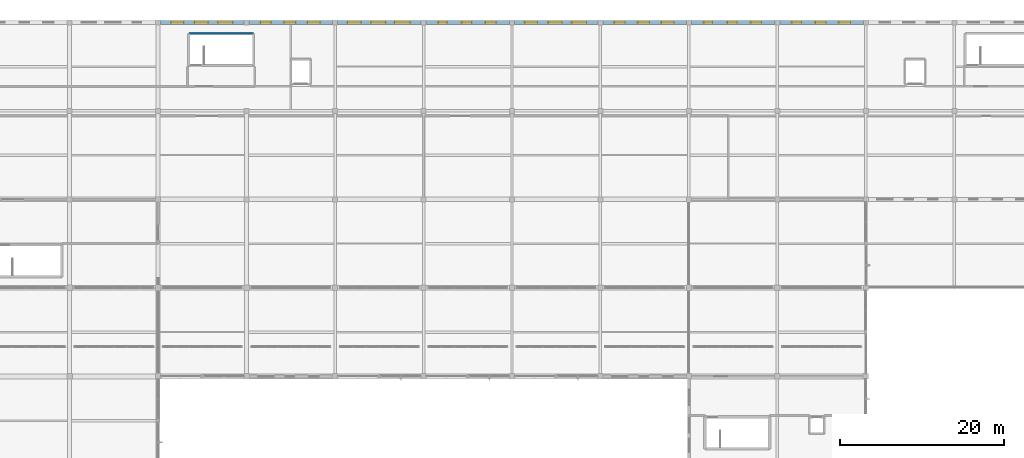
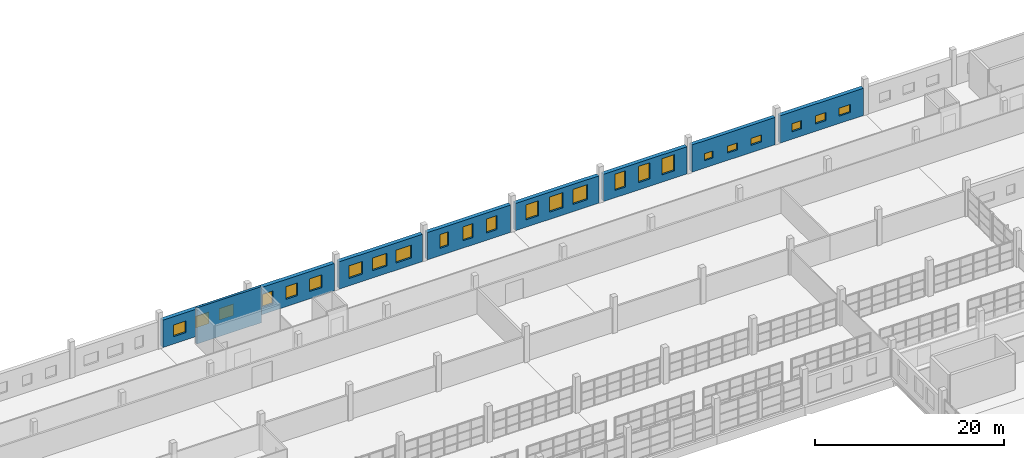
# One storey, part 118 of 142: 24 windows, 9 walls, 24 openings.
"""IFC4 building model written with IfcOpenShell, lengths in metres."""

from ifc_helpers import new_model, si_unit, direction, frame, frame_2d, origin, place, context, subcontext, project, spatial, rectangle, extrude, material, layer, layer_set, type_object, element, fill, save


model = new_model("IFC4")

# Units and contexts
model_context = context("Model", 3, precision=1e-05, world=origin(), true_north=direction((0.0, 1.0)))
body_context = subcontext(model_context, "Body", "Model", "MODEL_VIEW")
ifc_project = project(units=[si_unit("LENGTHUNIT", "METRE"), si_unit("AREAUNIT", "SQUARE_METRE"), si_unit("VOLUMEUNIT", "CUBIC_METRE"), si_unit("PLANEANGLEUNIT", "RADIAN"), si_unit("MASSUNIT", "GRAM", prefix="KILO")], contexts=[model_context])

# Site, building, storey
site_placement = place(None, origin())
site = spatial("IfcSite", under=ifc_project, at=site_placement, CompositionType="ELEMENT")
building_placement = place(site_placement, origin())
building = spatial("IfcBuilding", under=site, at=building_placement, Name="Zwinboog Wholesale Market", CompositionType="ELEMENT")
storey_placement = place(building_placement, frame((0.0, 0.0, 5.39990234375)))
storey = spatial("IfcBuildingStorey", under=building, at=storey_placement, Name="L01", CompositionType="ELEMENT", Elevation=5.39990234375)

# Wall, openings, windows
ifc_material_1 = material(Name="Precast concrete C45/55", Category="concrete")
ifc_layer_1 = layer(ifc_material_1, 0.455078125)
ifc_layer_set_1 = layer_set([ifc_layer_1], Name="Precast concrete C45/55")
wall_type_1 = type_object("IfcWallType", Name="WT-EW-455", PredefinedType="STANDARD", material=ifc_layer_set_1)
wall_1_placement = place(storey_placement, frame((151.4951171875, 129.60009765625, 0.0), z_axis=(0.0, 0.0, 1.0), x_axis=(1.0, 0.0, 0.0)))
wall_1 = element("IfcWall", 1, at=wall_1_placement, inside=storey, type_object=wall_type_1, Name="EW-05 (WL-EW-L01-160)", PredefinedType="STANDARD", context=body_context, shape_type="SweptSolid", body=[
    extrude(rectangle(XDim=10.2099609375, YDim=0.455078125, at=frame_2d((5.10498046875, 0.0))), origin(), (0.0, 0.0, 1.0), 3.530029296875),
])
opening_1_placement = place(wall_1_placement, frame((1.52490234375, 0.0, 0.949951171875)))
opening_1 = element("IfcOpeningElement", 2, at=opening_1_placement, cuts=wall_1, Name="Opening WN-01", PredefinedType="OPENING", context=body_context, shape_type="SweptSolid", body=[
    extrude(rectangle(XDim=1.050048828125, YDim=0.89990234375, at=frame_2d((0.52490234375, 0.449951171875))), frame((0.0, 0.237548828125, 0.0), z_axis=(0.0, -1.0, 0.0), x_axis=(1.0, 0.0, 0.0)), (0.0, 0.0, 1.0), 0.47509765625),
])
opening_2_placement = place(wall_1_placement, frame((4.39501953125, 0.0, 0.949951171875)))
opening_2 = element("IfcOpeningElement", 3, at=opening_2_placement, cuts=wall_1, Name="Opening WN-02", PredefinedType="OPENING", context=body_context, shape_type="SweptSolid", body=[
    extrude(rectangle(XDim=1.169921875, YDim=0.89990234375, at=frame_2d((0.5849609375, 0.449951171875))), frame((0.0, 0.237548828125, 0.0), z_axis=(0.0, -1.0, 0.0), x_axis=(1.0, 0.0, 0.0)), (0.0, 0.0, 1.0), 0.47509765625),
])
opening_3_placement = place(wall_1_placement, frame((7.264892578125, 0.0, 0.949951171875)))
opening_3 = element("IfcOpeningElement", 4, at=opening_3_placement, cuts=wall_1, Name="Opening WN-03", PredefinedType="OPENING", context=body_context, shape_type="SweptSolid", body=[
    extrude(rectangle(XDim=1.2900390625, YDim=0.89990234375, at=frame_2d((0.64501953125, 0.449951171875))), frame((0.0, 0.237548828125, 0.0), z_axis=(0.0, -1.0, 0.0), x_axis=(1.0, 0.0, 0.0)), (0.0, 0.0, 1.0), 0.47509765625),
])
ifc_material_2 = material(Name="Thermally broken aluminium low-e window", Category="aluminium")
window_type_1 = type_object("IfcWindowType", Name="WNT-01", PartitioningType="SINGLE_PANEL", PredefinedType="WINDOW", material=ifc_material_2)
window_1_placement = place(opening_1_placement, origin())
window_1 = element("IfcWindow", 5, at=window_1_placement, inside=storey, type_object=window_type_1, Name="WN-01 (WIN-L01-0145)", OverallHeight=0.89990234375, OverallWidth=1.050048828125, PartitioningType="SINGLE_PANEL", PredefinedType="WINDOW", context=body_context, shape_type="SweptSolid", body=[
    extrude(rectangle(XDim=1.050048828125, YDim=0.89990234375, at=frame_2d((0.52490234375, 0.449951171875))), frame((0.0, 0.030029296875, 0.0), z_axis=(0.0, -1.0, 0.0), x_axis=(1.0, 0.0, 0.0)), (0.0, 0.0, 1.0), 0.06005859375),
])
fill(opening_1, window_1)
window_type_2 = type_object("IfcWindowType", Name="WNT-02", PartitioningType="SINGLE_PANEL", PredefinedType="WINDOW", material=ifc_material_2)
window_2_placement = place(opening_2_placement, origin())
window_2 = element("IfcWindow", 6, at=window_2_placement, inside=storey, type_object=window_type_2, Name="WN-02 (WIN-L01-0146)", OverallHeight=0.89990234375, OverallWidth=1.169921875, PartitioningType="SINGLE_PANEL", PredefinedType="WINDOW", context=body_context, shape_type="SweptSolid", body=[
    extrude(rectangle(XDim=1.169921875, YDim=0.89990234375, at=frame_2d((0.5849609375, 0.449951171875))), frame((0.0, 0.030029296875, 0.0), z_axis=(0.0, -1.0, 0.0), x_axis=(1.0, 0.0, 0.0)), (0.0, 0.0, 1.0), 0.06005859375),
])
fill(opening_2, window_2)
window_type_3 = type_object("IfcWindowType", Name="WNT-03", PartitioningType="SINGLE_PANEL", PredefinedType="WINDOW", material=ifc_material_2)
window_3_placement = place(opening_3_placement, origin())
window_3 = element("IfcWindow", 7, at=window_3_placement, inside=storey, type_object=window_type_3, Name="WN-03 (WIN-L01-0147)", OverallHeight=0.89990234375, OverallWidth=1.2900390625, PartitioningType="SINGLE_PANEL", PredefinedType="WINDOW", context=body_context, shape_type="SweptSolid", body=[
    extrude(rectangle(XDim=1.2900390625, YDim=0.89990234375, at=frame_2d((0.64501953125, 0.449951171875))), frame((0.0, 0.030029296875, 0.0), z_axis=(0.0, -1.0, 0.0), x_axis=(1.0, 0.0, 0.0)), (0.0, 0.0, 1.0), 0.06005859375),
])
fill(opening_3, window_3)

ifc_layer_2 = layer(ifc_material_1, 0.47998046875)
ifc_layer_set_2 = layer_set([ifc_layer_2], Name="Precast concrete C45/55")
wall_type_2 = type_object("IfcWallType", Name="WT-EW-480", PredefinedType="STANDARD", material=ifc_layer_set_2)
wall_2_placement = place(storey_placement, frame((86.695068359375, 129.60009765625, 0.0), z_axis=(0.0, 0.0, 1.0), x_axis=(1.0, 0.0, 0.0)))
wall_2 = element("IfcWall", 8, at=wall_2_placement, inside=storey, type_object=wall_type_2, Name="EW-06 (WL-EW-L01-131)", PredefinedType="STANDARD", context=body_context, shape_type="SweptSolid", body=[
    extrude(rectangle(XDim=10.2099609375, YDim=0.47998046875, at=frame_2d((5.10498046875, 0.0))), origin(), (0.0, 0.0, 1.0), 3.530029296875),
])
opening_4_placement = place(wall_2_placement, frame((1.284912109375, 0.0, 0.949951171875)))
opening_4 = element("IfcOpeningElement", 9, at=opening_4_placement, cuts=wall_2, Name="Opening WN-37", PredefinedType="OPENING", context=body_context, shape_type="SweptSolid", body=[
    extrude(rectangle(XDim=1.530029296875, YDim=1.5, at=frame_2d((0.76513671875, 0.75))), frame((0.0, 0.25, 0.0), z_axis=(0.0, -1.0, 0.0), x_axis=(1.0, 0.0, 0.0)), (0.0, 0.0, 1.0), 0.5),
])
opening_5_placement = place(wall_2_placement, frame((4.155029296875, 0.0, 0.949951171875)))
opening_5 = element("IfcOpeningElement", 10, at=opening_5_placement, cuts=wall_2, Name="Opening WN-38", PredefinedType="OPENING", context=body_context, shape_type="SweptSolid", body=[
    extrude(rectangle(XDim=1.64990234375, YDim=1.5, at=frame_2d((0.824951171875, 0.75))), frame((0.0, 0.25, 0.0), z_axis=(0.0, -1.0, 0.0), x_axis=(1.0, 0.0, 0.0)), (0.0, 0.0, 1.0), 0.5),
])
opening_6_placement = place(wall_2_placement, frame((7.02490234375, 0.0, 0.949951171875)))
opening_6 = element("IfcOpeningElement", 11, at=opening_6_placement, cuts=wall_2, Name="Opening WN-39", PredefinedType="OPENING", context=body_context, shape_type="SweptSolid", body=[
    extrude(rectangle(XDim=1.77001953125, YDim=1.5, at=frame_2d((0.885009765625, 0.75))), frame((0.0, 0.25, 0.0), z_axis=(0.0, -1.0, 0.0), x_axis=(1.0, 0.0, 0.0)), (0.0, 0.0, 1.0), 0.5),
])
window_type_4 = type_object("IfcWindowType", Name="WNT-37", PartitioningType="SINGLE_PANEL", PredefinedType="WINDOW", material=ifc_material_2)
window_4_placement = place(opening_4_placement, origin())
window_4 = element("IfcWindow", 12, at=window_4_placement, inside=storey, type_object=window_type_4, Name="WN-37 (WIN-L01-0109)", OverallHeight=1.5, OverallWidth=1.530029296875, PartitioningType="SINGLE_PANEL", PredefinedType="WINDOW", context=body_context, shape_type="SweptSolid", body=[
    extrude(rectangle(XDim=1.530029296875, YDim=1.5, at=frame_2d((0.76513671875, 0.75))), frame((0.0, 0.030029296875, 0.0), z_axis=(0.0, -1.0, 0.0), x_axis=(1.0, 0.0, 0.0)), (0.0, 0.0, 1.0), 0.06005859375),
])
fill(opening_4, window_4)
window_type_5 = type_object("IfcWindowType", Name="WNT-38", PartitioningType="SINGLE_PANEL", PredefinedType="WINDOW", material=ifc_material_2)
window_5_placement = place(opening_5_placement, origin())
window_5 = element("IfcWindow", 13, at=window_5_placement, inside=storey, type_object=window_type_5, Name="WN-38 (WIN-L01-0110)", OverallHeight=1.5, OverallWidth=1.64990234375, PartitioningType="SINGLE_PANEL", PredefinedType="WINDOW", context=body_context, shape_type="SweptSolid", body=[
    extrude(rectangle(XDim=1.64990234375, YDim=1.5, at=frame_2d((0.824951171875, 0.75))), frame((0.0, 0.030029296875, 0.0), z_axis=(0.0, -1.0, 0.0), x_axis=(1.0, 0.0, 0.0)), (0.0, 0.0, 1.0), 0.06005859375),
])
fill(opening_5, window_5)
window_type_6 = type_object("IfcWindowType", Name="WNT-39", PartitioningType="SINGLE_PANEL", PredefinedType="WINDOW", material=ifc_material_2)
window_6_placement = place(opening_6_placement, origin())
window_6 = element("IfcWindow", 14, at=window_6_placement, inside=storey, type_object=window_type_6, Name="WN-39 (WIN-L01-0111)", OverallHeight=1.5, OverallWidth=1.77001953125, PartitioningType="SINGLE_PANEL", PredefinedType="WINDOW", context=body_context, shape_type="SweptSolid", body=[
    extrude(rectangle(XDim=1.77001953125, YDim=1.5, at=frame_2d((0.885009765625, 0.75))), frame((0.0, 0.030029296875, 0.0), z_axis=(0.0, -1.0, 0.0), x_axis=(1.0, 0.0, 0.0)), (0.0, 0.0, 1.0), 0.06005859375),
])
fill(opening_6, window_6)

wall_3_placement = place(storey_placement, frame((97.4951171875, 129.60009765625, 0.0), z_axis=(0.0, 0.0, 1.0), x_axis=(1.0, 0.0, 0.0)))
wall_3 = element("IfcWall", 15, at=wall_3_placement, inside=storey, type_object=wall_type_2, Name="EW-06 (WL-EW-L01-135)", PredefinedType="STANDARD", context=body_context, shape_type="SweptSolid", body=[
    extrude(rectangle(XDim=10.2099609375, YDim=0.47998046875, at=frame_2d((5.10498046875, 0.0))), origin(), (0.0, 0.0, 1.0), 3.530029296875),
])
opening_7_placement = place(wall_3_placement, frame((1.405029296875, 0.0, 0.949951171875)))
opening_7 = element("IfcOpeningElement", 16, at=opening_7_placement, cuts=wall_3, Name="Opening WN-43", PredefinedType="OPENING", context=body_context, shape_type="SweptSolid", body=[
    extrude(rectangle(XDim=1.2900390625, YDim=1.64990234375, at=frame_2d((0.64501953125, 0.824951171875))), frame((0.0, 0.25, 0.0), z_axis=(0.0, -1.0, 0.0), x_axis=(1.0, 0.0, 0.0)), (0.0, 0.0, 1.0), 0.5),
])
opening_8_placement = place(wall_3_placement, frame((4.27490234375, 0.0, 0.949951171875)))
opening_8 = element("IfcOpeningElement", 17, at=opening_8_placement, cuts=wall_3, Name="Opening WN-44", PredefinedType="OPENING", context=body_context, shape_type="SweptSolid", body=[
    extrude(rectangle(XDim=1.409912109375, YDim=1.64990234375, at=frame_2d((0.705078125, 0.824951171875))), frame((0.0, 0.25, 0.0), z_axis=(0.0, -1.0, 0.0), x_axis=(1.0, 0.0, 0.0)), (0.0, 0.0, 1.0), 0.5),
])
opening_9_placement = place(wall_3_placement, frame((7.14501953125, 0.0, 0.949951171875)))
opening_9 = element("IfcOpeningElement", 18, at=opening_9_placement, cuts=wall_3, Name="Opening WN-45", PredefinedType="OPENING", context=body_context, shape_type="SweptSolid", body=[
    extrude(rectangle(XDim=1.530029296875, YDim=1.64990234375, at=frame_2d((0.76513671875, 0.824951171875))), frame((0.0, 0.25, 0.0), z_axis=(0.0, -1.0, 0.0), x_axis=(1.0, 0.0, 0.0)), (0.0, 0.0, 1.0), 0.5),
])
window_type_7 = type_object("IfcWindowType", Name="WNT-43", PartitioningType="SINGLE_PANEL", PredefinedType="WINDOW", material=ifc_material_2)
window_7_placement = place(opening_7_placement, origin())
window_7 = element("IfcWindow", 19, at=window_7_placement, inside=storey, type_object=window_type_7, Name="WN-43 (WIN-L01-0115)", OverallHeight=1.64990234375, OverallWidth=1.2900390625, PartitioningType="SINGLE_PANEL", PredefinedType="WINDOW", context=body_context, shape_type="SweptSolid", body=[
    extrude(rectangle(XDim=1.2900390625, YDim=1.64990234375, at=frame_2d((0.64501953125, 0.824951171875))), frame((0.0, 0.030029296875, 0.0), z_axis=(0.0, -1.0, 0.0), x_axis=(1.0, 0.0, 0.0)), (0.0, 0.0, 1.0), 0.06005859375),
])
fill(opening_7, window_7)
window_type_8 = type_object("IfcWindowType", Name="WNT-44", PartitioningType="SINGLE_PANEL", PredefinedType="WINDOW", material=ifc_material_2)
window_8_placement = place(opening_8_placement, origin())
window_8 = element("IfcWindow", 20, at=window_8_placement, inside=storey, type_object=window_type_8, Name="WN-44 (WIN-L01-0116)", OverallHeight=1.64990234375, OverallWidth=1.409912109375, PartitioningType="SINGLE_PANEL", PredefinedType="WINDOW", context=body_context, shape_type="SweptSolid", body=[
    extrude(rectangle(XDim=1.409912109375, YDim=1.64990234375, at=frame_2d((0.705078125, 0.824951171875))), frame((0.0, 0.030029296875, 0.0), z_axis=(0.0, -1.0, 0.0), x_axis=(1.0, 0.0, 0.0)), (0.0, 0.0, 1.0), 0.06005859375),
])
fill(opening_8, window_8)
window_type_9 = type_object("IfcWindowType", Name="WNT-45", PartitioningType="SINGLE_PANEL", PredefinedType="WINDOW", material=ifc_material_2)
window_9_placement = place(opening_9_placement, origin())
window_9 = element("IfcWindow", 21, at=window_9_placement, inside=storey, type_object=window_type_9, Name="WN-45 (WIN-L01-0117)", OverallHeight=1.64990234375, OverallWidth=1.530029296875, PartitioningType="SINGLE_PANEL", PredefinedType="WINDOW", context=body_context, shape_type="SweptSolid", body=[
    extrude(rectangle(XDim=1.530029296875, YDim=1.64990234375, at=frame_2d((0.76513671875, 0.824951171875))), frame((0.0, 0.030029296875, 0.0), z_axis=(0.0, -1.0, 0.0), x_axis=(1.0, 0.0, 0.0)), (0.0, 0.0, 1.0), 0.06005859375),
])
fill(opening_9, window_9)

wall_4_placement = place(storey_placement, frame((108.294921875, 129.60009765625, 0.0), z_axis=(0.0, 0.0, 1.0), x_axis=(1.0, 0.0, 0.0)))
wall_4 = element("IfcWall", 22, at=wall_4_placement, inside=storey, type_object=wall_type_2, Name="EW-06 (WL-EW-L01-139)", PredefinedType="STANDARD", context=body_context, shape_type="SweptSolid", body=[
    extrude(rectangle(XDim=10.2099609375, YDim=0.47998046875, at=frame_2d((5.10498046875, 0.0))), origin(), (0.0, 0.0, 1.0), 3.530029296875),
])
opening_10_placement = place(wall_4_placement, frame((1.22509765625, 0.0, 0.949951171875)))
opening_10 = element("IfcOpeningElement", 23, at=opening_10_placement, cuts=wall_4, Name="Opening WN-46", PredefinedType="OPENING", context=body_context, shape_type="SweptSolid", body=[
    extrude(rectangle(XDim=1.64990234375, YDim=1.64990234375, at=frame_2d((0.824951171875, 0.824951171875))), frame((0.0, 0.25, 0.0), z_axis=(0.0, -1.0, 0.0), x_axis=(1.0, 0.0, 0.0)), (0.0, 0.0, 1.0), 0.5),
])
opening_11_placement = place(wall_4_placement, frame((4.094970703125, 0.0, 0.949951171875)))
opening_11 = element("IfcOpeningElement", 24, at=opening_11_placement, cuts=wall_4, Name="Opening WN-47", PredefinedType="OPENING", context=body_context, shape_type="SweptSolid", body=[
    extrude(rectangle(XDim=1.77001953125, YDim=1.64990234375, at=frame_2d((0.885009765625, 0.824951171875))), frame((0.0, 0.25, 0.0), z_axis=(0.0, -1.0, 0.0), x_axis=(1.0, 0.0, 0.0)), (0.0, 0.0, 1.0), 0.5),
])
opening_12_placement = place(wall_4_placement, frame((6.965087890625, 0.0, 0.949951171875)))
opening_12 = element("IfcOpeningElement", 25, at=opening_12_placement, cuts=wall_4, Name="Opening WN-48", PredefinedType="OPENING", context=body_context, shape_type="SweptSolid", body=[
    extrude(rectangle(XDim=1.889892578125, YDim=1.64990234375, at=frame_2d((0.94482421875, 0.824951171875))), frame((0.0, 0.25, 0.0), z_axis=(0.0, -1.0, 0.0), x_axis=(1.0, 0.0, 0.0)), (0.0, 0.0, 1.0), 0.5),
])
window_type_10 = type_object("IfcWindowType", Name="WNT-46", PartitioningType="SINGLE_PANEL", PredefinedType="WINDOW", material=ifc_material_2)
window_10_placement = place(opening_10_placement, origin())
window_10 = element("IfcWindow", 26, at=window_10_placement, inside=storey, type_object=window_type_10, Name="WN-46 (WIN-L01-0118)", OverallHeight=1.64990234375, OverallWidth=1.64990234375, PartitioningType="SINGLE_PANEL", PredefinedType="WINDOW", context=body_context, shape_type="SweptSolid", body=[
    extrude(rectangle(XDim=1.64990234375, YDim=1.64990234375, at=frame_2d((0.824951171875, 0.824951171875))), frame((0.0, 0.030029296875, 0.0), z_axis=(0.0, -1.0, 0.0), x_axis=(1.0, 0.0, 0.0)), (0.0, 0.0, 1.0), 0.06005859375),
])
fill(opening_10, window_10)
window_type_11 = type_object("IfcWindowType", Name="WNT-47", PartitioningType="SINGLE_PANEL", PredefinedType="WINDOW", material=ifc_material_2)
window_11_placement = place(opening_11_placement, origin())
window_11 = element("IfcWindow", 27, at=window_11_placement, inside=storey, type_object=window_type_11, Name="WN-47 (WIN-L01-0119)", OverallHeight=1.64990234375, OverallWidth=1.77001953125, PartitioningType="SINGLE_PANEL", PredefinedType="WINDOW", context=body_context, shape_type="SweptSolid", body=[
    extrude(rectangle(XDim=1.77001953125, YDim=1.64990234375, at=frame_2d((0.885009765625, 0.824951171875))), frame((0.0, 0.030029296875, 0.0), z_axis=(0.0, -1.0, 0.0), x_axis=(1.0, 0.0, 0.0)), (0.0, 0.0, 1.0), 0.06005859375),
])
fill(opening_11, window_11)
window_type_12 = type_object("IfcWindowType", Name="WNT-48", PartitioningType="SINGLE_PANEL", PredefinedType="WINDOW", material=ifc_material_2)
window_12_placement = place(opening_12_placement, origin())
window_12 = element("IfcWindow", 28, at=window_12_placement, inside=storey, type_object=window_type_12, Name="WN-48 (WIN-L01-0120)", OverallHeight=1.64990234375, OverallWidth=1.889892578125, PartitioningType="SINGLE_PANEL", PredefinedType="WINDOW", context=body_context, shape_type="SweptSolid", body=[
    extrude(rectangle(XDim=1.889892578125, YDim=1.64990234375, at=frame_2d((0.94482421875, 0.824951171875))), frame((0.0, 0.030029296875, 0.0), z_axis=(0.0, -1.0, 0.0), x_axis=(1.0, 0.0, 0.0)), (0.0, 0.0, 1.0), 0.06005859375),
])
fill(opening_12, window_12)

wall_5_placement = place(storey_placement, frame((119.094970703125, 129.60009765625, 0.0), z_axis=(0.0, 0.0, 1.0), x_axis=(1.0, 0.0, 0.0)))
wall_5 = element("IfcWall", 29, at=wall_5_placement, inside=storey, type_object=wall_type_2, Name="EW-06 (WL-EW-L01-143)", PredefinedType="STANDARD", context=body_context, shape_type="SweptSolid", body=[
    extrude(rectangle(XDim=10.2099609375, YDim=0.47998046875, at=frame_2d((5.10498046875, 0.0))), origin(), (0.0, 0.0, 1.0), 3.530029296875),
])
opening_13_placement = place(wall_5_placement, frame((1.52490234375, 0.0, 0.949951171875)))
opening_13 = element("IfcOpeningElement", 30, at=opening_13_placement, cuts=wall_5, Name="Opening WN-49", PredefinedType="OPENING", context=body_context, shape_type="SweptSolid", body=[
    extrude(rectangle(XDim=1.050048828125, YDim=1.800048828125, at=frame_2d((0.52490234375, 0.89990234375))), frame((0.0, 0.25, 0.0), z_axis=(0.0, -1.0, 0.0), x_axis=(1.0, 0.0, 0.0)), (0.0, 0.0, 1.0), 0.5),
])
opening_14_placement = place(wall_5_placement, frame((4.39501953125, 0.0, 0.949951171875)))
opening_14 = element("IfcOpeningElement", 31, at=opening_14_placement, cuts=wall_5, Name="Opening WN-50", PredefinedType="OPENING", context=body_context, shape_type="SweptSolid", body=[
    extrude(rectangle(XDim=1.169921875, YDim=1.800048828125, at=frame_2d((0.5849609375, 0.89990234375))), frame((0.0, 0.25, 0.0), z_axis=(0.0, -1.0, 0.0), x_axis=(1.0, 0.0, 0.0)), (0.0, 0.0, 1.0), 0.5),
])
opening_15_placement = place(wall_5_placement, frame((7.264892578125, 0.0, 0.949951171875)))
opening_15 = element("IfcOpeningElement", 32, at=opening_15_placement, cuts=wall_5, Name="Opening WN-51", PredefinedType="OPENING", context=body_context, shape_type="SweptSolid", body=[
    extrude(rectangle(XDim=1.2900390625, YDim=1.800048828125, at=frame_2d((0.64501953125, 0.89990234375))), frame((0.0, 0.25, 0.0), z_axis=(0.0, -1.0, 0.0), x_axis=(1.0, 0.0, 0.0)), (0.0, 0.0, 1.0), 0.5),
])
window_type_13 = type_object("IfcWindowType", Name="WNT-49", PartitioningType="SINGLE_PANEL", PredefinedType="WINDOW", material=ifc_material_2)
window_13_placement = place(opening_13_placement, origin())
window_13 = element("IfcWindow", 33, at=window_13_placement, inside=storey, type_object=window_type_13, Name="WN-49 (WIN-L01-0121)", OverallHeight=1.800048828125, OverallWidth=1.050048828125, PartitioningType="SINGLE_PANEL", PredefinedType="WINDOW", context=body_context, shape_type="SweptSolid", body=[
    extrude(rectangle(XDim=1.050048828125, YDim=1.800048828125, at=frame_2d((0.52490234375, 0.89990234375))), frame((0.0, 0.030029296875, 0.0), z_axis=(0.0, -1.0, 0.0), x_axis=(1.0, 0.0, 0.0)), (0.0, 0.0, 1.0), 0.06005859375),
])
fill(opening_13, window_13)
window_type_14 = type_object("IfcWindowType", Name="WNT-50", PartitioningType="SINGLE_PANEL", PredefinedType="WINDOW", material=ifc_material_2)
window_14_placement = place(opening_14_placement, origin())
window_14 = element("IfcWindow", 34, at=window_14_placement, inside=storey, type_object=window_type_14, Name="WN-50 (WIN-L01-0122)", OverallHeight=1.800048828125, OverallWidth=1.169921875, PartitioningType="SINGLE_PANEL", PredefinedType="WINDOW", context=body_context, shape_type="SweptSolid", body=[
    extrude(rectangle(XDim=1.169921875, YDim=1.800048828125, at=frame_2d((0.5849609375, 0.89990234375))), frame((0.0, 0.030029296875, 0.0), z_axis=(0.0, -1.0, 0.0), x_axis=(1.0, 0.0, 0.0)), (0.0, 0.0, 1.0), 0.06005859375),
])
fill(opening_14, window_14)
window_type_15 = type_object("IfcWindowType", Name="WNT-51", PartitioningType="SINGLE_PANEL", PredefinedType="WINDOW", material=ifc_material_2)
window_15_placement = place(opening_15_placement, origin())
window_15 = element("IfcWindow", 35, at=window_15_placement, inside=storey, type_object=window_type_15, Name="WN-51 (WIN-L01-0123)", OverallHeight=1.800048828125, OverallWidth=1.2900390625, PartitioningType="SINGLE_PANEL", PredefinedType="WINDOW", context=body_context, shape_type="SweptSolid", body=[
    extrude(rectangle(XDim=1.2900390625, YDim=1.800048828125, at=frame_2d((0.64501953125, 0.89990234375))), frame((0.0, 0.030029296875, 0.0), z_axis=(0.0, -1.0, 0.0), x_axis=(1.0, 0.0, 0.0)), (0.0, 0.0, 1.0), 0.06005859375),
])
fill(opening_15, window_15)

wall_6_placement = place(storey_placement, frame((129.89501953125, 129.60009765625, 0.0), z_axis=(0.0, 0.0, 1.0), x_axis=(1.0, 0.0, 0.0)))
wall_6 = element("IfcWall", 36, at=wall_6_placement, inside=storey, type_object=wall_type_2, Name="EW-06 (WL-EW-L01-151)", PredefinedType="STANDARD", context=body_context, shape_type="SweptSolid", body=[
    extrude(rectangle(XDim=10.2099609375, YDim=0.47998046875, at=frame_2d((5.10498046875, 0.0))), origin(), (0.0, 0.0, 1.0), 3.530029296875),
])
opening_16_placement = place(wall_6_placement, frame((1.284912109375, 0.0, 0.949951171875)))
opening_16 = element("IfcOpeningElement", 37, at=opening_16_placement, cuts=wall_6, Name="Opening WN-61", PredefinedType="OPENING", context=body_context, shape_type="SweptSolid", body=[
    extrude(rectangle(XDim=1.530029296875, YDim=1.949951171875, at=frame_2d((0.76513671875, 0.97509765625))), frame((0.0, 0.25, 0.0), z_axis=(0.0, -1.0, 0.0), x_axis=(1.0, 0.0, 0.0)), (0.0, 0.0, 1.0), 0.5),
])
opening_17_placement = place(wall_6_placement, frame((4.155029296875, 0.0, 0.949951171875)))
opening_17 = element("IfcOpeningElement", 38, at=opening_17_placement, cuts=wall_6, Name="Opening WN-62", PredefinedType="OPENING", context=body_context, shape_type="SweptSolid", body=[
    extrude(rectangle(XDim=1.64990234375, YDim=1.949951171875, at=frame_2d((0.824951171875, 0.97509765625))), frame((0.0, 0.25, 0.0), z_axis=(0.0, -1.0, 0.0), x_axis=(1.0, 0.0, 0.0)), (0.0, 0.0, 1.0), 0.5),
])
opening_18_placement = place(wall_6_placement, frame((7.02490234375, 0.0, 0.949951171875)))
opening_18 = element("IfcOpeningElement", 39, at=opening_18_placement, cuts=wall_6, Name="Opening WN-63", PredefinedType="OPENING", context=body_context, shape_type="SweptSolid", body=[
    extrude(rectangle(XDim=1.77001953125, YDim=1.949951171875, at=frame_2d((0.885009765625, 0.97509765625))), frame((0.0, 0.25, 0.0), z_axis=(0.0, -1.0, 0.0), x_axis=(1.0, 0.0, 0.0)), (0.0, 0.0, 1.0), 0.5),
])
window_type_16 = type_object("IfcWindowType", Name="WNT-61", PartitioningType="SINGLE_PANEL", PredefinedType="WINDOW", material=ifc_material_2)
window_16_placement = place(opening_16_placement, origin())
window_16 = element("IfcWindow", 40, at=window_16_placement, inside=storey, type_object=window_type_16, Name="WN-61 (WIN-L01-0133)", OverallHeight=1.949951171875, OverallWidth=1.530029296875, PartitioningType="SINGLE_PANEL", PredefinedType="WINDOW", context=body_context, shape_type="SweptSolid", body=[
    extrude(rectangle(XDim=1.530029296875, YDim=1.949951171875, at=frame_2d((0.76513671875, 0.97509765625))), frame((0.0, 0.030029296875, 0.0), z_axis=(0.0, -1.0, 0.0), x_axis=(1.0, 0.0, 0.0)), (0.0, 0.0, 1.0), 0.06005859375),
])
fill(opening_16, window_16)
window_type_17 = type_object("IfcWindowType", Name="WNT-62", PartitioningType="SINGLE_PANEL", PredefinedType="WINDOW", material=ifc_material_2)
window_17_placement = place(opening_17_placement, origin())
window_17 = element("IfcWindow", 41, at=window_17_placement, inside=storey, type_object=window_type_17, Name="WN-62 (WIN-L01-0134)", OverallHeight=1.949951171875, OverallWidth=1.64990234375, PartitioningType="SINGLE_PANEL", PredefinedType="WINDOW", context=body_context, shape_type="SweptSolid", body=[
    extrude(rectangle(XDim=1.64990234375, YDim=1.949951171875, at=frame_2d((0.824951171875, 0.97509765625))), frame((0.0, 0.030029296875, 0.0), z_axis=(0.0, -1.0, 0.0), x_axis=(1.0, 0.0, 0.0)), (0.0, 0.0, 1.0), 0.06005859375),
])
fill(opening_17, window_17)
window_type_18 = type_object("IfcWindowType", Name="WNT-63", PartitioningType="SINGLE_PANEL", PredefinedType="WINDOW", material=ifc_material_2)
window_18_placement = place(opening_18_placement, origin())
window_18 = element("IfcWindow", 42, at=window_18_placement, inside=storey, type_object=window_type_18, Name="WN-63 (WIN-L01-0135)", OverallHeight=1.949951171875, OverallWidth=1.77001953125, PartitioningType="SINGLE_PANEL", PredefinedType="WINDOW", context=body_context, shape_type="SweptSolid", body=[
    extrude(rectangle(XDim=1.77001953125, YDim=1.949951171875, at=frame_2d((0.885009765625, 0.97509765625))), frame((0.0, 0.030029296875, 0.0), z_axis=(0.0, -1.0, 0.0), x_axis=(1.0, 0.0, 0.0)), (0.0, 0.0, 1.0), 0.06005859375),
])
fill(opening_18, window_18)

wall_7_placement = place(storey_placement, frame((140.695068359375, 129.60009765625, 0.0), z_axis=(0.0, 0.0, 1.0), x_axis=(1.0, 0.0, 0.0)))
wall_7 = element("IfcWall", 43, at=wall_7_placement, inside=storey, type_object=wall_type_2, Name="EW-06 (WL-EW-L01-155)", PredefinedType="STANDARD", context=body_context, shape_type="SweptSolid", body=[
    extrude(rectangle(XDim=10.2099609375, YDim=0.47998046875, at=frame_2d((5.10498046875, 0.0))), origin(), (0.0, 0.0, 1.0), 3.530029296875),
])
opening_19_placement = place(wall_7_placement, frame((1.405029296875, 0.0, 0.949951171875)))
opening_19 = element("IfcOpeningElement", 44, at=opening_19_placement, cuts=wall_7, Name="Opening WN-67", PredefinedType="OPENING", context=body_context, shape_type="SweptSolid", body=[
    extrude(rectangle(XDim=1.2900390625, YDim=2.10009765625, at=frame_2d((0.64501953125, 1.050048828125))), frame((0.0, 0.25, 0.0), z_axis=(0.0, -1.0, 0.0), x_axis=(1.0, 0.0, 0.0)), (0.0, 0.0, 1.0), 0.5),
])
opening_20_placement = place(wall_7_placement, frame((4.27490234375, 0.0, 0.949951171875)))
opening_20 = element("IfcOpeningElement", 45, at=opening_20_placement, cuts=wall_7, Name="Opening WN-68", PredefinedType="OPENING", context=body_context, shape_type="SweptSolid", body=[
    extrude(rectangle(XDim=1.409912109375, YDim=2.10009765625, at=frame_2d((0.705078125, 1.050048828125))), frame((0.0, 0.25, 0.0), z_axis=(0.0, -1.0, 0.0), x_axis=(1.0, 0.0, 0.0)), (0.0, 0.0, 1.0), 0.5),
])
opening_21_placement = place(wall_7_placement, frame((7.14501953125, 0.0, 0.949951171875)))
opening_21 = element("IfcOpeningElement", 46, at=opening_21_placement, cuts=wall_7, Name="Opening WN-69", PredefinedType="OPENING", context=body_context, shape_type="SweptSolid", body=[
    extrude(rectangle(XDim=1.530029296875, YDim=2.10009765625, at=frame_2d((0.76513671875, 1.050048828125))), frame((0.0, 0.25, 0.0), z_axis=(0.0, -1.0, 0.0), x_axis=(1.0, 0.0, 0.0)), (0.0, 0.0, 1.0), 0.5),
])
window_type_19 = type_object("IfcWindowType", Name="WNT-67", PartitioningType="SINGLE_PANEL", PredefinedType="WINDOW", material=ifc_material_2)
window_19_placement = place(opening_19_placement, origin())
window_19 = element("IfcWindow", 47, at=window_19_placement, inside=storey, type_object=window_type_19, Name="WN-67 (WIN-L01-0139)", OverallHeight=2.10009765625, OverallWidth=1.2900390625, PartitioningType="SINGLE_PANEL", PredefinedType="WINDOW", context=body_context, shape_type="SweptSolid", body=[
    extrude(rectangle(XDim=1.2900390625, YDim=2.10009765625, at=frame_2d((0.64501953125, 1.050048828125))), frame((0.0, 0.030029296875, 0.0), z_axis=(0.0, -1.0, 0.0), x_axis=(1.0, 0.0, 0.0)), (0.0, 0.0, 1.0), 0.06005859375),
])
fill(opening_19, window_19)
window_type_20 = type_object("IfcWindowType", Name="WNT-68", PartitioningType="SINGLE_PANEL", PredefinedType="WINDOW", material=ifc_material_2)
window_20_placement = place(opening_20_placement, origin())
window_20 = element("IfcWindow", 48, at=window_20_placement, inside=storey, type_object=window_type_20, Name="WN-68 (WIN-L01-0140)", OverallHeight=2.10009765625, OverallWidth=1.409912109375, PartitioningType="SINGLE_PANEL", PredefinedType="WINDOW", context=body_context, shape_type="SweptSolid", body=[
    extrude(rectangle(XDim=1.409912109375, YDim=2.10009765625, at=frame_2d((0.705078125, 1.050048828125))), frame((0.0, 0.030029296875, 0.0), z_axis=(0.0, -1.0, 0.0), x_axis=(1.0, 0.0, 0.0)), (0.0, 0.0, 1.0), 0.06005859375),
])
fill(opening_20, window_20)
window_type_21 = type_object("IfcWindowType", Name="WNT-69", PartitioningType="SINGLE_PANEL", PredefinedType="WINDOW", material=ifc_material_2)
window_21_placement = place(opening_21_placement, origin())
window_21 = element("IfcWindow", 49, at=window_21_placement, inside=storey, type_object=window_type_21, Name="WN-69 (WIN-L01-0141)", OverallHeight=2.10009765625, OverallWidth=1.530029296875, PartitioningType="SINGLE_PANEL", PredefinedType="WINDOW", context=body_context, shape_type="SweptSolid", body=[
    extrude(rectangle(XDim=1.530029296875, YDim=2.10009765625, at=frame_2d((0.76513671875, 1.050048828125))), frame((0.0, 0.030029296875, 0.0), z_axis=(0.0, -1.0, 0.0), x_axis=(1.0, 0.0, 0.0)), (0.0, 0.0, 1.0), 0.06005859375),
])
fill(opening_21, window_21)

wall_8_placement = place(storey_placement, frame((162.294921875, 129.60009765625, 0.0), z_axis=(0.0, 0.0, 1.0), x_axis=(1.0, 0.0, 0.0)))
wall_8 = element("IfcWall", 50, at=wall_8_placement, inside=storey, type_object=wall_type_2, Name="EW-06 (WL-EW-L01-169)", PredefinedType="STANDARD", context=body_context, shape_type="SweptSolid", body=[
    extrude(rectangle(XDim=10.2099609375, YDim=0.47998046875, at=frame_2d((5.10498046875, 0.0))), origin(), (0.0, 0.0, 1.0), 3.530029296875),
])
opening_22_placement = place(wall_8_placement, frame((1.465087890625, 0.0, 0.949951171875)))
opening_22 = element("IfcOpeningElement", 51, at=opening_22_placement, cuts=wall_8, Name="Opening WN-10", PredefinedType="OPENING", context=body_context, shape_type="SweptSolid", body=[
    extrude(rectangle(XDim=1.169921875, YDim=1.050048828125, at=frame_2d((0.5849609375, 0.52490234375))), frame((0.0, 0.25, 0.0), z_axis=(0.0, -1.0, 0.0), x_axis=(1.0, 0.0, 0.0)), (0.0, 0.0, 1.0), 0.5),
])
opening_23_placement = place(wall_8_placement, frame((4.3349609375, 0.0, 0.949951171875)))
opening_23 = element("IfcOpeningElement", 52, at=opening_23_placement, cuts=wall_8, Name="Opening WN-11", PredefinedType="OPENING", context=body_context, shape_type="SweptSolid", body=[
    extrude(rectangle(XDim=1.2900390625, YDim=1.050048828125, at=frame_2d((0.64501953125, 0.52490234375))), frame((0.0, 0.25, 0.0), z_axis=(0.0, -1.0, 0.0), x_axis=(1.0, 0.0, 0.0)), (0.0, 0.0, 1.0), 0.5),
])
opening_24_placement = place(wall_8_placement, frame((7.205078125, 0.0, 0.949951171875)))
opening_24 = element("IfcOpeningElement", 53, at=opening_24_placement, cuts=wall_8, Name="Opening WN-12", PredefinedType="OPENING", context=body_context, shape_type="SweptSolid", body=[
    extrude(rectangle(XDim=1.409912109375, YDim=1.050048828125, at=frame_2d((0.705078125, 0.52490234375))), frame((0.0, 0.25, 0.0), z_axis=(0.0, -1.0, 0.0), x_axis=(1.0, 0.0, 0.0)), (0.0, 0.0, 1.0), 0.5),
])
window_type_22 = type_object("IfcWindowType", Name="WNT-10", PartitioningType="SINGLE_PANEL", PredefinedType="WINDOW", material=ifc_material_2)
window_22_placement = place(opening_22_placement, origin())
window_22 = element("IfcWindow", 54, at=window_22_placement, inside=storey, type_object=window_type_22, Name="WN-10 (WIN-L01-0154)", OverallHeight=1.050048828125, OverallWidth=1.169921875, PartitioningType="SINGLE_PANEL", PredefinedType="WINDOW", context=body_context, shape_type="SweptSolid", body=[
    extrude(rectangle(XDim=1.169921875, YDim=1.050048828125, at=frame_2d((0.5849609375, 0.52490234375))), frame((0.0, 0.030029296875, 0.0), z_axis=(0.0, -1.0, 0.0), x_axis=(1.0, 0.0, 0.0)), (0.0, 0.0, 1.0), 0.06005859375),
])
fill(opening_22, window_22)
window_type_23 = type_object("IfcWindowType", Name="WNT-11", PartitioningType="SINGLE_PANEL", PredefinedType="WINDOW", material=ifc_material_2)
window_23_placement = place(opening_23_placement, origin())
window_23 = element("IfcWindow", 55, at=window_23_placement, inside=storey, type_object=window_type_23, Name="WN-11 (WIN-L01-0155)", OverallHeight=1.050048828125, OverallWidth=1.2900390625, PartitioningType="SINGLE_PANEL", PredefinedType="WINDOW", context=body_context, shape_type="SweptSolid", body=[
    extrude(rectangle(XDim=1.2900390625, YDim=1.050048828125, at=frame_2d((0.64501953125, 0.52490234375))), frame((0.0, 0.030029296875, 0.0), z_axis=(0.0, -1.0, 0.0), x_axis=(1.0, 0.0, 0.0)), (0.0, 0.0, 1.0), 0.06005859375),
])
fill(opening_23, window_23)
window_type_24 = type_object("IfcWindowType", Name="WNT-12", PartitioningType="SINGLE_PANEL", PredefinedType="WINDOW", material=ifc_material_2)
window_24_placement = place(opening_24_placement, origin())
window_24 = element("IfcWindow", 56, at=window_24_placement, inside=storey, type_object=window_type_24, Name="WN-12 (WIN-L01-0156)", OverallHeight=1.050048828125, OverallWidth=1.409912109375, PartitioningType="SINGLE_PANEL", PredefinedType="WINDOW", context=body_context, shape_type="SweptSolid", body=[
    extrude(rectangle(XDim=1.409912109375, YDim=1.050048828125, at=frame_2d((0.705078125, 0.52490234375))), frame((0.0, 0.030029296875, 0.0), z_axis=(0.0, -1.0, 0.0), x_axis=(1.0, 0.0, 0.0)), (0.0, 0.0, 1.0), 0.06005859375),
])
fill(opening_24, window_24)

# Wall
ifc_material_3 = material(Name="Concrete C40/50", Category="concrete")
ifc_layer_3 = layer(ifc_material_3, 0.280029296875)
ifc_layer_set_3 = layer_set([ifc_layer_3], Name="Concrete C40/50")
wall_type_3 = type_object("IfcWallType", Name="WT-SW-280", PredefinedType="SHEAR", material=ifc_layer_set_3)
wall_9_placement = place(storey_placement, frame((90.14990234375, 128.25, 0.0), z_axis=(0.0, 0.0, 1.0), x_axis=(1.0, 0.0, 0.0)))
element("IfcWall", 57, at=wall_9_placement, inside=storey, type_object=wall_type_3, Name="SW-01 (WL-SW-L01-030)", PredefinedType="SHEAR", context=body_context, shape_type="SweptSolid", body=[
    extrude(rectangle(XDim=7.900146484375, YDim=0.280029296875, at=frame_2d((3.9501953125, 0.0))), origin(), (0.0, 0.0, 1.0), 4.68017578125),
])

save(model, "model.ifc")
